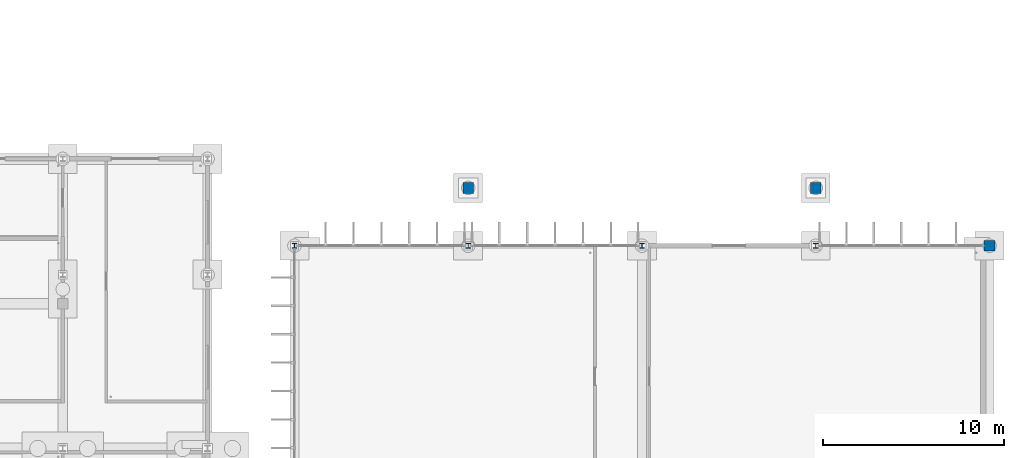
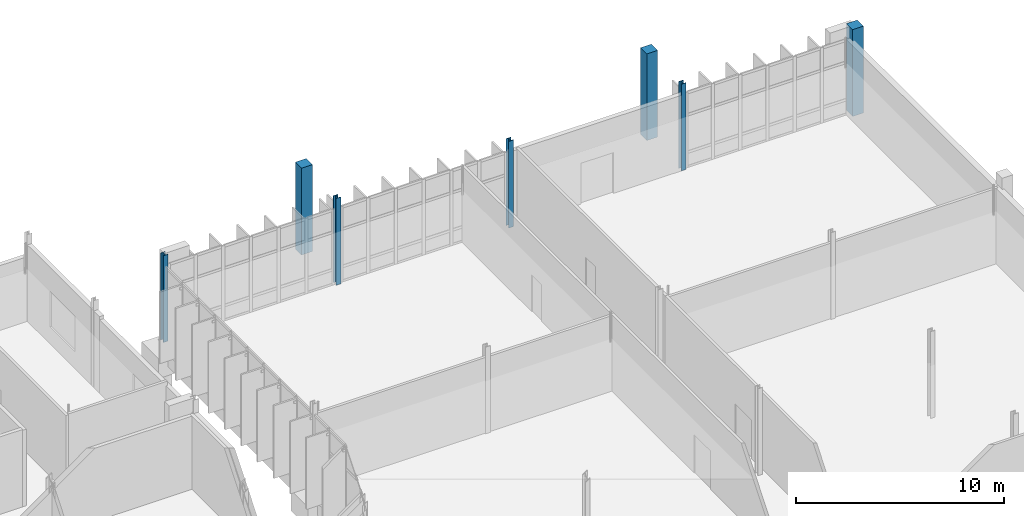
# One storey, part 20 of 111: 7 columns.
"""IFC4 building model written with IfcOpenShell, lengths in metres."""

from ifc_helpers import new_model, si_unit, direction, frame, origin, origin_2d, place, context, subcontext, project, spatial, rectangle, i_section, extrude, material, material_profile, profile_set, type_object, element, save


model = new_model("IFC4")

# Units and contexts
model_context = context("Model", 3, precision=1e-05, world=origin(), true_north=direction((0.0, 1.0)))
body_context = subcontext(model_context, "Body", "Model", "MODEL_VIEW")
ifc_project = project(units=[si_unit("LENGTHUNIT", "METRE"), si_unit("AREAUNIT", "SQUARE_METRE"), si_unit("VOLUMEUNIT", "CUBIC_METRE"), si_unit("PLANEANGLEUNIT", "RADIAN"), si_unit("MASSUNIT", "GRAM", prefix="KILO")], contexts=[model_context])

# Site, building, storey
site_placement = place(None, origin())
site = spatial("IfcSite", under=ifc_project, at=site_placement, CompositionType="ELEMENT")
building_placement = place(site_placement, origin())
building = spatial("IfcBuilding", under=site, at=building_placement, Name="Dunescarp Central Library", CompositionType="ELEMENT")
storey_placement = place(building_placement, origin())
storey = spatial("IfcBuildingStorey", under=building, at=storey_placement, Name="L00", CompositionType="ELEMENT", Elevation=0.0)

# Columns
ifc_material_1 = material(Name="Concrete C40/50", Category="concrete")
ifc_material_profile_1 = material_profile(ifc_material_1, rectangle(XDim=0.60009765625, YDim=0.60009765625, at=origin_2d()), Name="RC 600x600")
ifc_profile_set_1 = profile_set([ifc_material_profile_1], Name="Concrete C40/50")
column_type_1 = type_object("IfcColumnType", Name="STR-COL-RC600", PredefinedType="COLUMN", material=ifc_profile_set_1)
for number, where, z_axis, x_axis, name in (
    (1, (168.0, 44.800048828125, 0.0), (0.0, 0.0, 1.0), (1.0, 0.0, 0.0), "L00 column V5-1680-448"),
    (2, (139.199951171875, 48.0, 0.0), (0.0, 0.0, 1.0), (1.0, 0.0, 0.0), "L00 column TERP-1392-480"),
    (3, (158.39990234375, 48.0, 0.0), (0.0, 0.0, 1.0), (1.0, 0.0, 0.0), "L00 column TERP-1584-480"),
):
    element("IfcColumn", number, at=place(storey_placement, frame(where, z_axis=z_axis, x_axis=x_axis)), inside=storey, type_object=column_type_1, Name=name, PredefinedType="COLUMN", context=body_context, shape_type="SweptSolid", body=[
        extrude(rectangle(XDim=0.60009765625, YDim=0.60009765625, at=origin_2d()), origin(), (0.0, 0.0, 1.0), 5.10009765625),
    ])
ifc_material_2 = material(Name="Steel S355JR", Category="steel")
ifc_material_profile_2 = material_profile(ifc_material_2, i_section(OverallWidth=0.26123046875, OverallDepth=0.2763671875, WebThickness=0.015380859375, FlangeThickness=0.025390625, at=origin_2d()), Name="UC 254x254x132")
ifc_profile_set_2 = profile_set([ifc_material_profile_2], Name="Steel S355JR")
column_type_2 = type_object("IfcColumnType", Name="STR-COL-UC254X132", PredefinedType="COLUMN", material=ifc_profile_set_2)
for number, where, z_axis, x_axis, name in (
    (4, (129.60009765625, 44.800048828125, 0.0), (0.0, 0.0, 1.0), (1.0, 0.0, 0.0), "L00 column V5-1296-448"),
    (5, (139.199951171875, 44.800048828125, 0.0), (0.0, 0.0, 1.0), (1.0, 0.0, 0.0), "L00 column V5-1392-448"),
    (6, (148.800048828125, 44.800048828125, 0.0), (0.0, 0.0, 1.0), (1.0, 0.0, 0.0), "L00 column V5-1488-448"),
    (7, (158.39990234375, 44.800048828125, 0.0), (0.0, 0.0, 1.0), (1.0, 0.0, 0.0), "L00 column V5-1584-448"),
):
    element("IfcColumn", number, at=place(storey_placement, frame(where, z_axis=z_axis, x_axis=x_axis)), inside=storey, type_object=column_type_2, Name=name, PredefinedType="COLUMN", context=body_context, shape_type="SweptSolid", body=[
        extrude(i_section(OverallWidth=0.26123046875, OverallDepth=0.2763671875, WebThickness=0.015380859375, FlangeThickness=0.025390625, at=origin_2d()), origin(), (0.0, 0.0, 1.0), 5.10009765625),
    ])

save(model, "model.ifc")
